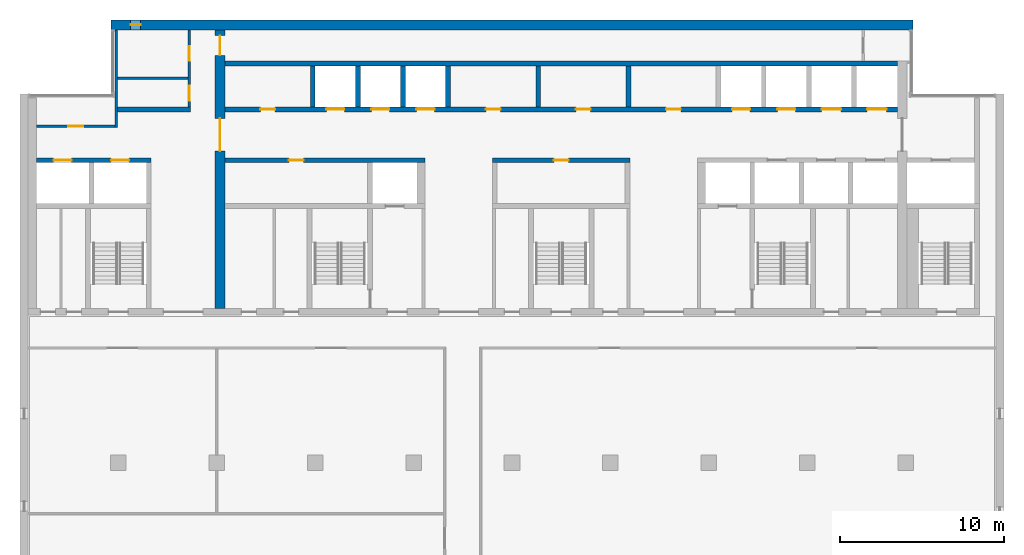
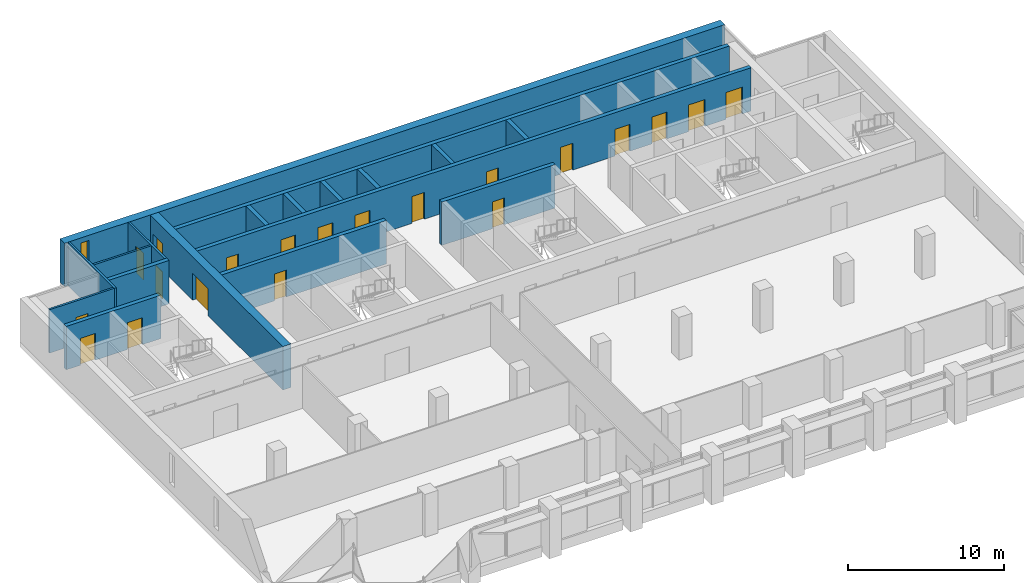
# One storey, part 10 of 14: 20 doors, 18 walls, 1 window, 21 openings.
"""IFC4 building model written with IfcOpenShell, lengths in metres."""

from ifc_helpers import new_model, si_unit, direction, frame, frame_2d, origin, place, context, subcontext, project, spatial, rectangle, extrude, material, layer, layer_set, type_object, element, fill, save


model = new_model("IFC4")

# Units and contexts
model_context = context("Model", 3, precision=1e-05, world=origin(), true_north=direction((0.0, 1.0)))
body_context = subcontext(model_context, "Body", "Model", "MODEL_VIEW")
ifc_project = project(units=[si_unit("LENGTHUNIT", "METRE"), si_unit("AREAUNIT", "SQUARE_METRE"), si_unit("VOLUMEUNIT", "CUBIC_METRE"), si_unit("PLANEANGLEUNIT", "RADIAN"), si_unit("MASSUNIT", "GRAM", prefix="KILO")], contexts=[model_context])

# Site, building, storey
site_placement = place(None, origin())
site = spatial("IfcSite", under=ifc_project, at=site_placement, CompositionType="ELEMENT")
building_placement = place(site_placement, origin())
building = spatial("IfcBuilding", under=site, at=building_placement, Name="Calvaro Tower", CompositionType="ELEMENT")
storey_placement = place(building_placement, frame((0.0, 0.0, 235.550048828125)))
storey = spatial("IfcBuildingStorey", under=building, at=storey_placement, Name="L59", CompositionType="ELEMENT", Elevation=235.550048828125)

# Wall
ifc_material_1 = material(Name="Blockwork partition", Category="masonry")
ifc_layer_1 = layer(ifc_material_1, 0.14990234375)
ifc_layer_set_1 = layer_set([ifc_layer_1], Name="Blockwork partition")
wall_type_1 = type_object("IfcWallType", Name="Core partition 150 EI 60", PredefinedType="PARTITIONING", material=ifc_layer_set_1)
wall_1_placement = place(storey_placement, frame((11.949951171875, 42.449951171875, 0.0), z_axis=(0.0, 0.0, 1.0), x_axis=(1.0, 0.0, 0.0)))
element("IfcWall", 1, at=wall_1_placement, inside=storey, type_object=wall_type_1, Name="Core partition", PredefinedType="PARTITIONING", context=body_context, shape_type="SweptSolid", body=[
    extrude(rectangle(XDim=4.300048828125, YDim=0.14990234375, at=frame_2d((2.14990234375, 0.0))), origin(), (0.0, 0.0, 1.0), 3.39990234375),
])

# Wall, openings, doors
ifc_material_2 = material(Name="Blockwork partition", Category="masonry")
ifc_layer_2 = layer(ifc_material_2, 0.14990234375)
ifc_layer_set_2 = layer_set([ifc_layer_2], Name="Blockwork partition")
wall_type_2 = type_object("IfcWallType", Name="Core partition 150 REI 120", PredefinedType="PARTITIONING", material=ifc_layer_set_2)
wall_2_placement = place(storey_placement, frame((16.324951171875, 45.39990234375, 0.0), z_axis=(0.0, 0.0, 1.0), x_axis=(0.0, -1.0, 0.0)))
wall_2 = element("IfcWall", 2, at=wall_2_placement, inside=storey, type_object=wall_type_2, Name="Core partition", PredefinedType="PARTITIONING", context=body_context, shape_type="SweptSolid", body=[
    extrude(rectangle(XDim=4.699951171875, YDim=0.14990234375, at=frame_2d((2.35009765625, 0.0))), origin(), (0.0, 0.0, 1.0), 3.39990234375),
])
opening_1_placement = place(wall_2_placement, frame((3.41259765625, 0.0, 0.0)))
opening_1 = element("IfcOpeningElement", 3, at=opening_1_placement, cuts=wall_2, Name="Opening RD9", PredefinedType="OPENING", context=body_context, shape_type="SweptSolid", body=[
    extrude(rectangle(XDim=0.89990234375, YDim=2.10009765625, at=frame_2d((0.449951171875, 1.050048828125))), frame((0.0, 0.0849609375, 0.0), z_axis=(0.0, -1.0, 0.0), x_axis=(1.0, 0.0, 0.0)), (0.0, 0.0, 1.0), 0.169921875),
])
opening_2_placement = place(wall_2_placement, frame((0.987548828125, 0.0, 0.0)))
opening_2 = element("IfcOpeningElement", 4, at=opening_2_placement, cuts=wall_2, Name="Opening RD9", PredefinedType="OPENING", context=body_context, shape_type="SweptSolid", body=[
    extrude(rectangle(XDim=0.89990234375, YDim=2.10009765625, at=frame_2d((0.449951171875, 1.050048828125))), frame((0.0, 0.0849609375, 0.0), z_axis=(0.0, -1.0, 0.0), x_axis=(1.0, 0.0, 0.0)), (0.0, 0.0, 1.0), 0.169921875),
])
ifc_material_3 = material(Name="Steel door set", Category="steel")
door_type_1 = type_object("IfcDoorType", Name="Room door 900", OperationType="SINGLE_SWING_LEFT", PredefinedType="DOOR", material=ifc_material_3)
door_1_placement = place(opening_1_placement, origin())
door_1 = element("IfcDoor", 5, at=door_1_placement, inside=storey, type_object=door_type_1, Name="Room door", OperationType="SINGLE_SWING_RIGHT", OverallHeight=2.10009765625, OverallWidth=0.89990234375, PredefinedType="DOOR", context=body_context, shape_type="SweptSolid", body=[
    extrude(rectangle(XDim=0.89990234375, YDim=2.10009765625, at=frame_2d((0.449951171875, 1.050048828125))), frame((0.0, 0.02490234375, 0.0), z_axis=(0.0, -1.0, 0.0), x_axis=(1.0, 0.0, 0.0)), (0.0, 0.0, 1.0), 0.050048828125),
])
fill(opening_1, door_1)
door_2_placement = place(opening_2_placement, origin())
door_2 = element("IfcDoor", 6, at=door_2_placement, inside=storey, type_object=door_type_1, Name="Room door", OperationType="SINGLE_SWING_RIGHT", OverallHeight=2.10009765625, OverallWidth=0.89990234375, PredefinedType="DOOR", context=body_context, shape_type="SweptSolid", body=[
    extrude(rectangle(XDim=0.89990234375, YDim=2.10009765625, at=frame_2d((0.449951171875, 1.050048828125))), frame((0.0, 0.02490234375, 0.0), z_axis=(0.0, -1.0, 0.0), x_axis=(1.0, 0.0, 0.0)), (0.0, 0.0, 1.0), 0.050048828125),
])
fill(opening_2, door_2)

# Wall
wall_3_placement = place(storey_placement, frame((11.875, 39.449951171875, 0.0), z_axis=(0.0, 0.0, 1.0), x_axis=(0.0, 1.0, 0.0)))
element("IfcWall", 7, at=wall_3_placement, inside=storey, type_object=wall_type_2, Name="Core partition", PredefinedType="PARTITIONING", context=body_context, shape_type="SweptSolid", body=[
    extrude(rectangle(XDim=5.949951171875, YDim=0.14990234375, at=frame_2d((2.97509765625, 0.0))), origin(), (0.0, 0.0, 1.0), 3.39990234375),
])

# Wall, opening, door
wall_4_placement = place(storey_placement, frame((7.0, 39.52490234375, 0.0), z_axis=(0.0, 0.0, 1.0), x_axis=(1.0, 0.0, 0.0)))
wall_4 = element("IfcWall", 8, at=wall_4_placement, inside=storey, type_object=wall_type_2, Name="Core partition", PredefinedType="PARTITIONING", context=body_context, shape_type="SweptSolid", body=[
    extrude(rectangle(XDim=4.800048828125, YDim=0.14990234375, at=frame_2d((2.39990234375, 0.0))), origin(), (0.0, 0.0, 1.0), 3.39990234375),
])
opening_3_placement = place(wall_4_placement, frame((1.949951171875, 0.0, 0.0)))
opening_3 = element("IfcOpeningElement", 9, at=opening_3_placement, cuts=wall_4, Name="Opening RD9", PredefinedType="OPENING", context=body_context, shape_type="SweptSolid", body=[
    extrude(rectangle(XDim=0.89990234375, YDim=2.10009765625, at=frame_2d((0.449951171875, 1.050048828125))), frame((0.0, 0.0849609375, 0.0), z_axis=(0.0, -1.0, 0.0), x_axis=(1.0, 0.0, 0.0)), (0.0, 0.0, 1.0), 0.169921875),
])
door_3_placement = place(opening_3_placement, origin())
door_3 = element("IfcDoor", 10, at=door_3_placement, inside=storey, type_object=door_type_1, Name="Room door", OperationType="SINGLE_SWING_LEFT", OverallHeight=2.10009765625, OverallWidth=0.89990234375, PredefinedType="DOOR", context=body_context, shape_type="SweptSolid", body=[
    extrude(rectangle(XDim=0.89990234375, YDim=2.10009765625, at=frame_2d((0.449951171875, 1.050048828125))), frame((0.0, 0.02490234375, 0.0), z_axis=(0.0, -1.0, 0.0), x_axis=(1.0, 0.0, 0.0)), (0.0, 0.0, 1.0), 0.050048828125),
])
fill(opening_3, door_3)

# Walls
ifc_material_4 = material(Name="Blockwork partition", Category="masonry")
ifc_layer_3 = layer(ifc_material_4, 0.300048828125)
ifc_layer_set_3 = layer_set([ifc_layer_3], Name="Blockwork partition")
wall_type_3 = type_object("IfcWallType", Name="Core partition 300 EI 60", PredefinedType="PARTITIONING", material=ifc_layer_set_3)
wall_5_placement = place(storey_placement, frame((43.10009765625, 40.699951171875, 0.0), z_axis=(0.0, 0.0, 1.0), x_axis=(0.0, 1.0, 0.0)))
element("IfcWall", 11, at=wall_5_placement, inside=storey, type_object=wall_type_3, Name="Core partition", PredefinedType="PARTITIONING", context=body_context, shape_type="SweptSolid", body=[
    extrude(rectangle(XDim=2.5, YDim=0.300048828125, at=frame_2d((1.25, 0.0))), origin(), (0.0, 0.0, 1.0), 3.39990234375),
])
ifc_material_5 = material(Name="Blockwork partition", Category="masonry")
ifc_layer_4 = layer(ifc_material_5, 0.300048828125)
ifc_layer_set_4 = layer_set([ifc_layer_4], Name="Blockwork partition")
wall_type_4 = type_object("IfcWallType", Name="Core partition 300 REI 120", PredefinedType="PARTITIONING", material=ifc_layer_set_4)
wall_6_placement = place(storey_placement, frame((11.949951171875, 40.550048828125, 0.0), z_axis=(0.0, 0.0, 1.0), x_axis=(1.0, 0.0, 0.0)))
element("IfcWall", 12, at=wall_6_placement, inside=storey, type_object=wall_type_4, Name="Core partition", PredefinedType="PARTITIONING", context=body_context, shape_type="SweptSolid", body=[
    extrude(rectangle(XDim=4.449951171875, YDim=0.300048828125, at=frame_2d((2.22509765625, 0.0))), origin(), (0.0, 0.0, 1.0), 3.39990234375),
])
wall_7_placement = place(storey_placement, frame((37.60009765625, 40.699951171875, 0.0), z_axis=(0.0, 0.0, 1.0), x_axis=(0.0, 1.0, 0.0)))
element("IfcWall", 13, at=wall_7_placement, inside=storey, type_object=wall_type_4, Name="Core partition", PredefinedType="PARTITIONING", context=body_context, shape_type="SweptSolid", body=[
    extrude(rectangle(XDim=2.5, YDim=0.300048828125, at=frame_2d((1.25, 0.0))), origin(), (0.0, 0.0, 1.0), 3.39990234375),
])

# Wall, openings, doors
ifc_material_6 = material(Name="Concrete C40/50", Category="concrete")
ifc_layer_5 = layer(ifc_material_6, 0.300048828125)
ifc_layer_set_5 = layer_set([ifc_layer_5], Name="Concrete C40/50")
wall_type_5 = type_object("IfcWallType", Name="Core wall C40/50 300", PredefinedType="SHEAR", material=ifc_layer_set_5)
wall_8_placement = place(storey_placement, frame((7.0, 37.449951171875, 0.0), z_axis=(0.0, 0.0, 1.0), x_axis=(1.0, 0.0, 0.0)))
wall_8 = element("IfcWall", 14, at=wall_8_placement, inside=storey, type_object=wall_type_5, Name="Core wall, lift shaft", PredefinedType="SHEAR", context=body_context, shape_type="SweptSolid", body=[
    extrude(rectangle(XDim=7.0, YDim=0.300048828125, at=frame_2d((3.5, 0.0))), origin(), (0.0, 0.0, 1.0), 3.39990234375),
])
opening_4_placement = place(wall_8_placement, frame((1.050048828125, 0.0, 0.0)))
opening_4 = element("IfcOpeningElement", 15, at=opening_4_placement, cuts=wall_8, Name="Opening EX1", PredefinedType="OPENING", context=body_context, shape_type="SweptSolid", body=[
    extrude(rectangle(XDim=1.10009765625, YDim=2.10009765625, at=frame_2d((0.550048828125, 1.050048828125))), frame((0.0, 0.159912109375, 0.0), z_axis=(0.0, -1.0, 0.0), x_axis=(1.0, 0.0, 0.0)), (0.0, 0.0, 1.0), 0.320068359375),
])
opening_5_placement = place(wall_8_placement, frame((4.550048828125, 0.0, 0.0)))
opening_5 = element("IfcOpeningElement", 16, at=opening_5_placement, cuts=wall_8, Name="Opening EX2", PredefinedType="OPENING", context=body_context, shape_type="SweptSolid", body=[
    extrude(rectangle(XDim=1.10009765625, YDim=2.10009765625, at=frame_2d((0.550048828125, 1.050048828125))), frame((0.0, 0.159912109375, 0.0), z_axis=(0.0, -1.0, 0.0), x_axis=(1.0, 0.0, 0.0)), (0.0, 0.0, 1.0), 0.320068359375),
])
ifc_material_7 = material(Name="Stainless steel", Category="steel")
door_type_2 = type_object("IfcDoorType", Name="Landing door 1100 E 60", OperationType="SLIDING_TO_LEFT", PredefinedType="DOOR", material=ifc_material_7)
door_4_placement = place(opening_4_placement, origin())
door_4 = element("IfcDoor", 17, at=door_4_placement, inside=storey, type_object=door_type_2, Name="Landing door EX1", OperationType="SLIDING_TO_LEFT", OverallHeight=2.10009765625, OverallWidth=1.10009765625, PredefinedType="DOOR", context=body_context, shape_type="SweptSolid", body=[
    extrude(rectangle(XDim=1.10009765625, YDim=2.10009765625, at=frame_2d((0.550048828125, 1.050048828125))), frame((0.0, 0.02490234375, 0.0), z_axis=(0.0, -1.0, 0.0), x_axis=(1.0, 0.0, 0.0)), (0.0, 0.0, 1.0), 0.050048828125),
])
fill(opening_4, door_4)
door_5_placement = place(opening_5_placement, origin())
door_5 = element("IfcDoor", 18, at=door_5_placement, inside=storey, type_object=door_type_2, Name="Landing door EX2", OperationType="SLIDING_TO_LEFT", OverallHeight=2.10009765625, OverallWidth=1.10009765625, PredefinedType="DOOR", context=body_context, shape_type="SweptSolid", body=[
    extrude(rectangle(XDim=1.10009765625, YDim=2.10009765625, at=frame_2d((0.550048828125, 1.050048828125))), frame((0.0, 0.02490234375, 0.0), z_axis=(0.0, -1.0, 0.0), x_axis=(1.0, 0.0, 0.0)), (0.0, 0.0, 1.0), 0.050048828125),
])
fill(opening_5, door_5)

# Wall, opening, door
wall_9_placement = place(storey_placement, frame((30.699951171875, 37.449951171875, 0.0), z_axis=(0.0, 0.0, 1.0), x_axis=(-1.0, 0.0, 0.0)))
wall_9 = element("IfcWall", 19, at=wall_9_placement, inside=storey, type_object=wall_type_5, Name="Core wall, bay", PredefinedType="SHEAR", context=body_context, shape_type="SweptSolid", body=[
    extrude(rectangle(XDim=12.199951171875, YDim=0.300048828125, at=frame_2d((6.10009765625, 0.0))), origin(), (0.0, 0.0, 1.0), 3.39990234375),
])
opening_6_placement = place(wall_9_placement, frame((7.39990234375, 0.0, 0.0)))
opening_6 = element("IfcOpeningElement", 20, at=opening_6_placement, cuts=wall_9, Name="Opening RD9E", PredefinedType="OPENING", context=body_context, shape_type="SweptSolid", body=[
    extrude(rectangle(XDim=0.89990234375, YDim=2.10009765625, at=frame_2d((0.449951171875, 1.050048828125))), frame((0.0, 0.159912109375, 0.0), z_axis=(0.0, -1.0, 0.0), x_axis=(1.0, 0.0, 0.0)), (0.0, 0.0, 1.0), 0.320068359375),
])
ifc_material_8 = material(Name="Steel door set", Category="steel")
door_type_3 = type_object("IfcDoorType", Name="Room door 900 FD60", OperationType="SINGLE_SWING_LEFT", PredefinedType="DOOR", material=ifc_material_8)
door_6_placement = place(opening_6_placement, origin())
door_6 = element("IfcDoor", 21, at=door_6_placement, inside=storey, type_object=door_type_3, Name="Room door", OperationType="SINGLE_SWING_LEFT", OverallHeight=2.10009765625, OverallWidth=0.89990234375, PredefinedType="DOOR", context=body_context, shape_type="SweptSolid", body=[
    extrude(rectangle(XDim=0.89990234375, YDim=2.10009765625, at=frame_2d((0.449951171875, 1.050048828125))), frame((0.0, 0.02490234375, 0.0), z_axis=(0.0, -1.0, 0.0), x_axis=(1.0, 0.0, 0.0)), (0.0, 0.0, 1.0), 0.050048828125),
])
fill(opening_6, door_6)

wall_10_placement = place(storey_placement, frame((43.199951171875, 37.449951171875, 0.0), z_axis=(0.0, 0.0, 1.0), x_axis=(-1.0, 0.0, 0.0)))
wall_10 = element("IfcWall", 22, at=wall_10_placement, inside=storey, type_object=wall_type_5, Name="Core wall, bay", PredefinedType="SHEAR", context=body_context, shape_type="SweptSolid", body=[
    extrude(rectangle(XDim=8.39990234375, YDim=0.300048828125, at=frame_2d((4.199951171875, 0.0))), origin(), (0.0, 0.0, 1.0), 3.39990234375),
])
opening_7_placement = place(wall_10_placement, frame((3.75, 0.0, 0.0)))
opening_7 = element("IfcOpeningElement", 23, at=opening_7_placement, cuts=wall_10, Name="Opening RD9E", PredefinedType="OPENING", context=body_context, shape_type="SweptSolid", body=[
    extrude(rectangle(XDim=0.89990234375, YDim=2.10009765625, at=frame_2d((0.449951171875, 1.050048828125))), frame((0.0, 0.159912109375, 0.0), z_axis=(0.0, -1.0, 0.0), x_axis=(1.0, 0.0, 0.0)), (0.0, 0.0, 1.0), 0.320068359375),
])
door_7_placement = place(opening_7_placement, origin())
door_7 = element("IfcDoor", 24, at=door_7_placement, inside=storey, type_object=door_type_3, Name="Room door", OperationType="SINGLE_SWING_RIGHT", OverallHeight=2.10009765625, OverallWidth=0.89990234375, PredefinedType="DOOR", context=body_context, shape_type="SweptSolid", body=[
    extrude(rectangle(XDim=0.89990234375, YDim=2.10009765625, at=frame_2d((0.449951171875, 1.050048828125))), frame((0.0, 0.02490234375, 0.0), z_axis=(0.0, -1.0, 0.0), x_axis=(1.0, 0.0, 0.0)), (0.0, 0.0, 1.0), 0.050048828125),
])
fill(opening_7, door_7)

# Wall, openings, doors
wall_11_placement = place(storey_placement, frame((18.5, 40.550048828125, 0.0), z_axis=(0.0, 0.0, 1.0), x_axis=(1.0, 0.0, 0.0)))
wall_11 = element("IfcWall", 25, at=wall_11_placement, inside=storey, type_object=wall_type_5, Name="Core wall, bay", PredefinedType="SHEAR", context=body_context, shape_type="SweptSolid", body=[
    extrude(rectangle(XDim=41.0, YDim=0.300048828125, at=frame_2d((20.5, 0.0))), origin(), (0.0, 0.0, 1.0), 3.39990234375),
])
opening_8_placement = place(wall_11_placement, frame((2.14990234375, 0.0, 0.0)))
opening_8 = element("IfcOpeningElement", 26, at=opening_8_placement, cuts=wall_11, Name="Opening RD9E", PredefinedType="OPENING", context=body_context, shape_type="SweptSolid", body=[
    extrude(rectangle(XDim=0.89990234375, YDim=2.10009765625, at=frame_2d((0.449951171875, 1.050048828125))), frame((0.0, 0.159912109375, 0.0), z_axis=(0.0, -1.0, 0.0), x_axis=(1.0, 0.0, 0.0)), (0.0, 0.0, 1.0), 0.320068359375),
])
opening_9_placement = place(wall_11_placement, frame((15.89990234375, 0.0, 0.0)))
opening_9 = element("IfcOpeningElement", 27, at=opening_9_placement, cuts=wall_11, Name="Opening RD9E", PredefinedType="OPENING", context=body_context, shape_type="SweptSolid", body=[
    extrude(rectangle(XDim=0.89990234375, YDim=2.10009765625, at=frame_2d((0.449951171875, 1.050048828125))), frame((0.0, 0.159912109375, 0.0), z_axis=(0.0, -1.0, 0.0), x_axis=(1.0, 0.0, 0.0)), (0.0, 0.0, 1.0), 0.320068359375),
])
opening_10_placement = place(wall_11_placement, frame((21.39990234375, 0.0, 0.0)))
opening_10 = element("IfcOpeningElement", 28, at=opening_10_placement, cuts=wall_11, Name="Opening RD9E", PredefinedType="OPENING", context=body_context, shape_type="SweptSolid", body=[
    extrude(rectangle(XDim=0.89990234375, YDim=2.10009765625, at=frame_2d((0.449951171875, 1.050048828125))), frame((0.0, 0.159912109375, 0.0), z_axis=(0.0, -1.0, 0.0), x_axis=(1.0, 0.0, 0.0)), (0.0, 0.0, 1.0), 0.320068359375),
])
opening_11_placement = place(wall_11_placement, frame((26.89990234375, 0.0, 0.0)))
opening_11 = element("IfcOpeningElement", 29, at=opening_11_placement, cuts=wall_11, Name="Opening RD9C", PredefinedType="OPENING", context=body_context, shape_type="SweptSolid", body=[
    extrude(rectangle(XDim=0.89990234375, YDim=2.10009765625, at=frame_2d((0.449951171875, 1.050048828125))), frame((0.0, 0.159912109375, 0.0), z_axis=(0.0, -1.0, 0.0), x_axis=(1.0, 0.0, 0.0)), (0.0, 0.0, 1.0), 0.320068359375),
])
opening_12_placement = place(wall_11_placement, frame((6.175048828125, 0.0, 0.0)))
opening_12 = element("IfcOpeningElement", 30, at=opening_12_placement, cuts=wall_11, Name="Opening HR4", PredefinedType="OPENING", context=body_context, shape_type="SweptSolid", body=[
    extrude(rectangle(XDim=1.10009765625, YDim=2.10009765625, at=frame_2d((0.550048828125, 1.050048828125))), frame((0.0, 0.159912109375, 0.0), z_axis=(0.0, -1.0, 0.0), x_axis=(1.0, 0.0, 0.0)), (0.0, 0.0, 1.0), 0.320068359375),
])
opening_13_placement = place(wall_11_placement, frame((8.925048828125, 0.0, 0.0)))
opening_13 = element("IfcOpeningElement", 31, at=opening_13_placement, cuts=wall_11, Name="Opening HR5", PredefinedType="OPENING", context=body_context, shape_type="SweptSolid", body=[
    extrude(rectangle(XDim=1.10009765625, YDim=2.10009765625, at=frame_2d((0.550048828125, 1.050048828125))), frame((0.0, 0.159912109375, 0.0), z_axis=(0.0, -1.0, 0.0), x_axis=(1.0, 0.0, 0.0)), (0.0, 0.0, 1.0), 0.320068359375),
])
opening_14_placement = place(wall_11_placement, frame((11.675048828125, 0.0, 0.0)))
opening_14 = element("IfcOpeningElement", 32, at=opening_14_placement, cuts=wall_11, Name="Opening HR6", PredefinedType="OPENING", context=body_context, shape_type="SweptSolid", body=[
    extrude(rectangle(XDim=1.10009765625, YDim=2.10009765625, at=frame_2d((0.550048828125, 1.050048828125))), frame((0.0, 0.159912109375, 0.0), z_axis=(0.0, -1.0, 0.0), x_axis=(1.0, 0.0, 0.0)), (0.0, 0.0, 1.0), 0.320068359375),
])
opening_15_placement = place(wall_11_placement, frame((30.925048828125, 0.0, 0.0)))
opening_15 = element("IfcOpeningElement", 33, at=opening_15_placement, cuts=wall_11, Name="Opening HR7", PredefinedType="OPENING", context=body_context, shape_type="SweptSolid", body=[
    extrude(rectangle(XDim=1.10009765625, YDim=2.10009765625, at=frame_2d((0.550048828125, 1.050048828125))), frame((0.0, 0.159912109375, 0.0), z_axis=(0.0, -1.0, 0.0), x_axis=(1.0, 0.0, 0.0)), (0.0, 0.0, 1.0), 0.320068359375),
])
opening_16_placement = place(wall_11_placement, frame((33.675048828125, 0.0, 0.0)))
opening_16 = element("IfcOpeningElement", 34, at=opening_16_placement, cuts=wall_11, Name="Opening HR8", PredefinedType="OPENING", context=body_context, shape_type="SweptSolid", body=[
    extrude(rectangle(XDim=1.10009765625, YDim=2.10009765625, at=frame_2d((0.550048828125, 1.050048828125))), frame((0.0, 0.159912109375, 0.0), z_axis=(0.0, -1.0, 0.0), x_axis=(1.0, 0.0, 0.0)), (0.0, 0.0, 1.0), 0.320068359375),
])
opening_17_placement = place(wall_11_placement, frame((36.375, 0.0, 0.0)))
opening_17 = element("IfcOpeningElement", 35, at=opening_17_placement, cuts=wall_11, Name="Opening SV1", PredefinedType="OPENING", context=body_context, shape_type="SweptSolid", body=[
    extrude(rectangle(XDim=1.199951171875, YDim=2.10009765625, at=frame_2d((0.60009765625, 1.050048828125))), frame((0.0, 0.159912109375, 0.0), z_axis=(0.0, -1.0, 0.0), x_axis=(1.0, 0.0, 0.0)), (0.0, 0.0, 1.0), 0.320068359375),
])
opening_18_placement = place(wall_11_placement, frame((39.14990234375, 0.0, 0.0)))
opening_18 = element("IfcOpeningElement", 36, at=opening_18_placement, cuts=wall_11, Name="Opening SV2", PredefinedType="OPENING", context=body_context, shape_type="SweptSolid", body=[
    extrude(rectangle(XDim=1.199951171875, YDim=2.10009765625, at=frame_2d((0.60009765625, 1.050048828125))), frame((0.0, 0.159912109375, 0.0), z_axis=(0.0, -1.0, 0.0), x_axis=(1.0, 0.0, 0.0)), (0.0, 0.0, 1.0), 0.320068359375),
])
door_8_placement = place(opening_12_placement, origin())
door_8 = element("IfcDoor", 37, at=door_8_placement, inside=storey, type_object=door_type_2, Name="Landing door HR4", OperationType="SLIDING_TO_LEFT", OverallHeight=2.10009765625, OverallWidth=1.10009765625, PredefinedType="DOOR", context=body_context, shape_type="SweptSolid", body=[
    extrude(rectangle(XDim=1.10009765625, YDim=2.10009765625, at=frame_2d((0.550048828125, 1.050048828125))), frame((0.0, 0.02490234375, 0.0), z_axis=(0.0, -1.0, 0.0), x_axis=(1.0, 0.0, 0.0)), (0.0, 0.0, 1.0), 0.050048828125),
])
fill(opening_12, door_8)
door_9_placement = place(opening_13_placement, origin())
door_9 = element("IfcDoor", 38, at=door_9_placement, inside=storey, type_object=door_type_2, Name="Landing door HR5", OperationType="SLIDING_TO_LEFT", OverallHeight=2.10009765625, OverallWidth=1.10009765625, PredefinedType="DOOR", context=body_context, shape_type="SweptSolid", body=[
    extrude(rectangle(XDim=1.10009765625, YDim=2.10009765625, at=frame_2d((0.550048828125, 1.050048828125))), frame((0.0, 0.02490234375, 0.0), z_axis=(0.0, -1.0, 0.0), x_axis=(1.0, 0.0, 0.0)), (0.0, 0.0, 1.0), 0.050048828125),
])
fill(opening_13, door_9)
door_10_placement = place(opening_14_placement, origin())
door_10 = element("IfcDoor", 39, at=door_10_placement, inside=storey, type_object=door_type_2, Name="Landing door HR6", OperationType="SLIDING_TO_LEFT", OverallHeight=2.10009765625, OverallWidth=1.10009765625, PredefinedType="DOOR", context=body_context, shape_type="SweptSolid", body=[
    extrude(rectangle(XDim=1.10009765625, YDim=2.10009765625, at=frame_2d((0.550048828125, 1.050048828125))), frame((0.0, 0.02490234375, 0.0), z_axis=(0.0, -1.0, 0.0), x_axis=(1.0, 0.0, 0.0)), (0.0, 0.0, 1.0), 0.050048828125),
])
fill(opening_14, door_10)
door_11_placement = place(opening_15_placement, origin())
door_11 = element("IfcDoor", 40, at=door_11_placement, inside=storey, type_object=door_type_2, Name="Landing door HR7", OperationType="SLIDING_TO_LEFT", OverallHeight=2.10009765625, OverallWidth=1.10009765625, PredefinedType="DOOR", context=body_context, shape_type="SweptSolid", body=[
    extrude(rectangle(XDim=1.10009765625, YDim=2.10009765625, at=frame_2d((0.550048828125, 1.050048828125))), frame((0.0, 0.02490234375, 0.0), z_axis=(0.0, -1.0, 0.0), x_axis=(1.0, 0.0, 0.0)), (0.0, 0.0, 1.0), 0.050048828125),
])
fill(opening_15, door_11)
door_12_placement = place(opening_16_placement, origin())
door_12 = element("IfcDoor", 41, at=door_12_placement, inside=storey, type_object=door_type_2, Name="Landing door HR8", OperationType="SLIDING_TO_LEFT", OverallHeight=2.10009765625, OverallWidth=1.10009765625, PredefinedType="DOOR", context=body_context, shape_type="SweptSolid", body=[
    extrude(rectangle(XDim=1.10009765625, YDim=2.10009765625, at=frame_2d((0.550048828125, 1.050048828125))), frame((0.0, 0.02490234375, 0.0), z_axis=(0.0, -1.0, 0.0), x_axis=(1.0, 0.0, 0.0)), (0.0, 0.0, 1.0), 0.050048828125),
])
fill(opening_16, door_12)
ifc_material_9 = material(Name="Stainless steel", Category="steel")
door_type_4 = type_object("IfcDoorType", Name="Landing door 1200 E 60", OperationType="SLIDING_TO_LEFT", PredefinedType="DOOR", material=ifc_material_9)
door_13_placement = place(opening_17_placement, origin())
door_13 = element("IfcDoor", 42, at=door_13_placement, inside=storey, type_object=door_type_4, Name="Landing door SV1", OperationType="SLIDING_TO_LEFT", OverallHeight=2.10009765625, OverallWidth=1.199951171875, PredefinedType="DOOR", context=body_context, shape_type="SweptSolid", body=[
    extrude(rectangle(XDim=1.199951171875, YDim=2.10009765625, at=frame_2d((0.60009765625, 1.050048828125))), frame((0.0, 0.02490234375, 0.0), z_axis=(0.0, -1.0, 0.0), x_axis=(1.0, 0.0, 0.0)), (0.0, 0.0, 1.0), 0.050048828125),
])
fill(opening_17, door_13)
door_14_placement = place(opening_18_placement, origin())
door_14 = element("IfcDoor", 43, at=door_14_placement, inside=storey, type_object=door_type_4, Name="Landing door SV2", OperationType="SLIDING_TO_LEFT", OverallHeight=2.10009765625, OverallWidth=1.199951171875, PredefinedType="DOOR", context=body_context, shape_type="SweptSolid", body=[
    extrude(rectangle(XDim=1.199951171875, YDim=2.10009765625, at=frame_2d((0.60009765625, 1.050048828125))), frame((0.0, 0.02490234375, 0.0), z_axis=(0.0, -1.0, 0.0), x_axis=(1.0, 0.0, 0.0)), (0.0, 0.0, 1.0), 0.050048828125),
])
fill(opening_18, door_14)
ifc_material_10 = material(Name="Steel door set", Category="steel")
door_type_5 = type_object("IfcDoorType", Name="Room door 900 FD30", OperationType="SINGLE_SWING_LEFT", PredefinedType="DOOR", material=ifc_material_10)
door_15_placement = place(opening_11_placement, origin())
door_15 = element("IfcDoor", 44, at=door_15_placement, inside=storey, type_object=door_type_5, Name="Room door", OperationType="SINGLE_SWING_LEFT", OverallHeight=2.10009765625, OverallWidth=0.89990234375, PredefinedType="DOOR", context=body_context, shape_type="SweptSolid", body=[
    extrude(rectangle(XDim=0.89990234375, YDim=2.10009765625, at=frame_2d((0.449951171875, 1.050048828125))), frame((0.0, 0.02490234375, 0.0), z_axis=(0.0, -1.0, 0.0), x_axis=(1.0, 0.0, 0.0)), (0.0, 0.0, 1.0), 0.050048828125),
])
fill(opening_11, door_15)
door_16_placement = place(opening_8_placement, origin())
door_16 = element("IfcDoor", 45, at=door_16_placement, inside=storey, type_object=door_type_3, Name="Room door", OperationType="SINGLE_SWING_RIGHT", OverallHeight=2.10009765625, OverallWidth=0.89990234375, PredefinedType="DOOR", context=body_context, shape_type="SweptSolid", body=[
    extrude(rectangle(XDim=0.89990234375, YDim=2.10009765625, at=frame_2d((0.449951171875, 1.050048828125))), frame((0.0, 0.02490234375, 0.0), z_axis=(0.0, -1.0, 0.0), x_axis=(1.0, 0.0, 0.0)), (0.0, 0.0, 1.0), 0.050048828125),
])
fill(opening_8, door_16)
door_17_placement = place(opening_9_placement, origin())
door_17 = element("IfcDoor", 46, at=door_17_placement, inside=storey, type_object=door_type_3, Name="Room door", OperationType="SINGLE_SWING_LEFT", OverallHeight=2.10009765625, OverallWidth=0.89990234375, PredefinedType="DOOR", context=body_context, shape_type="SweptSolid", body=[
    extrude(rectangle(XDim=0.89990234375, YDim=2.10009765625, at=frame_2d((0.449951171875, 1.050048828125))), frame((0.0, 0.02490234375, 0.0), z_axis=(0.0, -1.0, 0.0), x_axis=(1.0, 0.0, 0.0)), (0.0, 0.0, 1.0), 0.050048828125),
])
fill(opening_9, door_17)
door_18_placement = place(opening_10_placement, origin())
door_18 = element("IfcDoor", 47, at=door_18_placement, inside=storey, type_object=door_type_3, Name="Room door", OperationType="SINGLE_SWING_LEFT", OverallHeight=2.10009765625, OverallWidth=0.89990234375, PredefinedType="DOOR", context=body_context, shape_type="SweptSolid", body=[
    extrude(rectangle(XDim=0.89990234375, YDim=2.10009765625, at=frame_2d((0.449951171875, 1.050048828125))), frame((0.0, 0.02490234375, 0.0), z_axis=(0.0, -1.0, 0.0), x_axis=(1.0, 0.0, 0.0)), (0.0, 0.0, 1.0), 0.050048828125),
])
fill(opening_10, door_18)

# Walls
wall_12_placement = place(storey_placement, frame((18.5, 43.35009765625, 0.0), z_axis=(0.0, 0.0, 1.0), x_axis=(1.0, 0.0, 0.0)))
element("IfcWall", 48, at=wall_12_placement, inside=storey, type_object=wall_type_5, Name="Core wall, lift shaft", PredefinedType="SHEAR", context=body_context, shape_type="SweptSolid", body=[
    extrude(rectangle(XDim=41.0, YDim=0.300048828125, at=frame_2d((20.5, 0.0))), origin(), (0.0, 0.0, 1.0), 3.39990234375),
])
for number, where, z_axis, x_axis, name in (
    (49, (23.85009765625, 40.699951171875, 0.0), (0.0, 0.0, 1.0), (0.0, 1.0, 0.0), "Core wall, lift shaft"),
    (50, (26.60009765625, 40.699951171875, 0.0), (0.0, 0.0, 1.0), (0.0, 1.0, 0.0), "Core wall, lift shaft"),
    (51, (29.35009765625, 40.699951171875, 0.0), (0.0, 0.0, 1.0), (0.0, 1.0, 0.0), "Core wall, lift shaft"),
    (52, (32.10009765625, 40.699951171875, 0.0), (0.0, 0.0, 1.0), (0.0, 1.0, 0.0), "Core wall, lift shaft"),
):
    element("IfcWall", number, at=place(storey_placement, frame(where, z_axis=z_axis, x_axis=x_axis)), inside=storey, type_object=wall_type_5, Name=name, PredefinedType="SHEAR", context=body_context, shape_type="SweptSolid", body=[
        extrude(rectangle(XDim=2.5, YDim=0.300048828125, at=frame_2d((1.25, 0.0))), origin(), (0.0, 0.0, 1.0), 3.39990234375),
    ])

# Wall, openings, doors
ifc_material_11 = material(Name="Concrete C40/50", Category="concrete")
ifc_layer_6 = layer(ifc_material_11, 0.60009765625)
ifc_layer_set_6 = layer_set([ifc_layer_6], Name="Concrete C40/50")
wall_type_6 = type_object("IfcWallType", Name="Core wall C40/50 600", PredefinedType="SHEAR", material=ifc_layer_set_6)
wall_13_placement = place(storey_placement, frame((18.199951171875, 28.39990234375, 0.0), z_axis=(0.0, 0.0, 1.0), x_axis=(0.0, 1.0, 0.0)))
wall_13 = element("IfcWall", 53, at=wall_13_placement, inside=storey, type_object=wall_type_6, Name="Core wall, cross shear wall", PredefinedType="SHEAR", context=body_context, shape_type="SweptSolid", body=[
    extrude(rectangle(XDim=17.0, YDim=0.60009765625, at=frame_2d((8.5, 0.0))), origin(), (0.0, 0.0, 1.0), 3.39990234375),
])
opening_19_placement = place(wall_13_placement, frame((9.60009765625, 0.0, 0.0)))
opening_19 = element("IfcOpeningElement", 54, at=opening_19_placement, cuts=wall_13, Name="Opening DD20D", PredefinedType="OPENING", context=body_context, shape_type="SweptSolid", body=[
    extrude(rectangle(XDim=2.0, YDim=2.10009765625, at=frame_2d((1.0, 1.050048828125))), frame((0.0, 0.31005859375, 0.0), z_axis=(0.0, -1.0, 0.0), x_axis=(1.0, 0.0, 0.0)), (0.0, 0.0, 1.0), 0.6201171875),
])
opening_20_placement = place(wall_13_placement, frame((15.449951171875, 0.0, 0.0)))
opening_20 = element("IfcOpeningElement", 55, at=opening_20_placement, cuts=wall_13, Name="Opening FD12C", PredefinedType="OPENING", context=body_context, shape_type="SweptSolid", body=[
    extrude(rectangle(XDim=1.199951171875, YDim=2.10009765625, at=frame_2d((0.60009765625, 1.050048828125))), frame((0.0, 0.31005859375, 0.0), z_axis=(0.0, -1.0, 0.0), x_axis=(1.0, 0.0, 0.0)), (0.0, 0.0, 1.0), 0.6201171875),
])
ifc_material_12 = material(Name="Steel door set", Category="steel")
door_type_6 = type_object("IfcDoorType", Name="Fire door 1200 FD30", OperationType="SINGLE_SWING_LEFT", PredefinedType="DOOR", material=ifc_material_12)
door_19_placement = place(opening_20_placement, origin())
door_19 = element("IfcDoor", 56, at=door_19_placement, inside=storey, type_object=door_type_6, Name="Fire door", OperationType="SINGLE_SWING_RIGHT", OverallHeight=2.10009765625, OverallWidth=1.199951171875, PredefinedType="DOOR", context=body_context, shape_type="SweptSolid", body=[
    extrude(rectangle(XDim=1.199951171875, YDim=2.10009765625, at=frame_2d((0.60009765625, 1.050048828125))), frame((0.0, 0.02490234375, 0.0), z_axis=(0.0, -1.0, 0.0), x_axis=(1.0, 0.0, 0.0)), (0.0, 0.0, 1.0), 0.050048828125),
])
fill(opening_20, door_19)
ifc_material_13 = material(Name="Steel door set", Category="steel")
door_type_7 = type_object("IfcDoorType", Name="Lobby double door 2000 FD30S", OperationType="DOUBLE_DOOR_SINGLE_SWING", PredefinedType="DOOR", material=ifc_material_13)
door_20_placement = place(opening_19_placement, origin())
door_20 = element("IfcDoor", 57, at=door_20_placement, inside=storey, type_object=door_type_7, Name="Lobby double door", OperationType="DOUBLE_DOOR_SINGLE_SWING", OverallHeight=2.10009765625, OverallWidth=2.0, PredefinedType="DOOR", context=body_context, shape_type="SweptSolid", body=[
    extrude(rectangle(XDim=2.0, YDim=2.10009765625, at=frame_2d((1.0, 1.050048828125))), frame((0.0, 0.02490234375, 0.0), z_axis=(0.0, -1.0, 0.0), x_axis=(1.0, 0.0, 0.0)), (0.0, 0.0, 1.0), 0.050048828125),
])
fill(opening_19, door_20)

# Wall, opening, window
ifc_material_14 = material(Name="Concrete C40/50", Category="concrete")
ifc_layer_7 = layer(ifc_material_14, 0.60009765625)
ifc_layer_set_7 = layer_set([ifc_layer_7], Name="Concrete C40/50")
wall_type_7 = type_object("IfcWallType", Name="Rear core wall 600 C40/50", PredefinedType="SHEAR", material=ifc_layer_set_7)
wall_14_placement = place(storey_placement, frame((11.550048828125, 45.699951171875, 0.0), z_axis=(0.0, 0.0, 1.0), x_axis=(1.0, 0.0, 0.0)))
wall_14 = element("IfcWall", 58, at=wall_14_placement, inside=storey, type_object=wall_type_7, Name="North core wall", PredefinedType="SHEAR", context=body_context, shape_type="SweptSolid", body=[
    extrude(rectangle(XDim=48.89990234375, YDim=0.60009765625, at=frame_2d((24.449951171875, 0.0))), origin(), (0.0, 0.0, 1.0), 3.39990234375),
])
opening_21_placement = place(wall_14_placement, frame((1.199951171875, 0.0, 0.60009765625)))
opening_21 = element("IfcOpeningElement", 59, at=opening_21_placement, cuts=wall_14, Name="Opening WN01", PredefinedType="OPENING", context=body_context, shape_type="SweptSolid", body=[
    extrude(rectangle(XDim=0.60009765625, YDim=2.39990234375, at=frame_2d((0.300048828125, 1.199951171875))), frame((0.0, 0.31005859375, 0.0), z_axis=(0.0, -1.0, 0.0), x_axis=(1.0, 0.0, 0.0)), (0.0, 0.0, 1.0), 0.6201171875),
])
ifc_material_15 = material(Name="Glass", Category="glass")
window_type = type_object("IfcWindowType", Name="Slit window 600 x 2400", PartitioningType="SINGLE_PANEL", PredefinedType="WINDOW", material=ifc_material_15)
window_placement = place(opening_21_placement, origin())
window = element("IfcWindow", 60, at=window_placement, inside=storey, type_object=window_type, Name="Window WN01", OverallHeight=2.39990234375, OverallWidth=0.60009765625, PartitioningType="SINGLE_PANEL", PredefinedType="WINDOW", context=body_context, shape_type="SweptSolid", body=[
    extrude(rectangle(XDim=0.60009765625, YDim=2.39990234375, at=frame_2d((0.300048828125, 1.199951171875))), frame((0.0, 0.030029296875, 0.0), z_axis=(0.0, -1.0, 0.0), x_axis=(1.0, 0.0, 0.0)), (0.0, 0.0, 1.0), 0.06005859375),
])
fill(opening_21, window)

save(model, "model.ifc")
